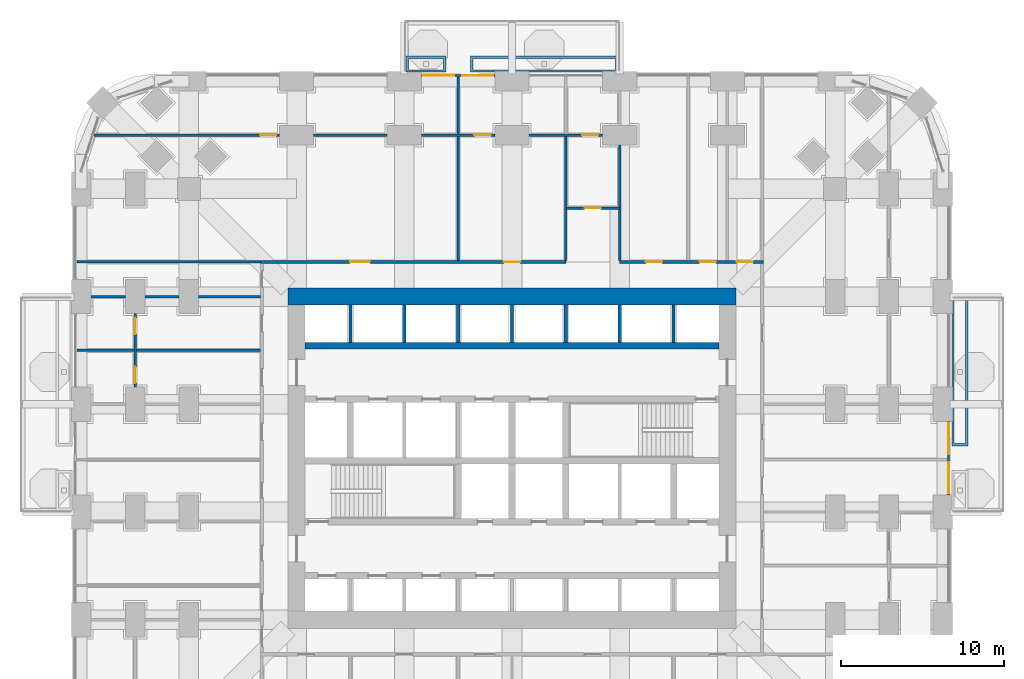
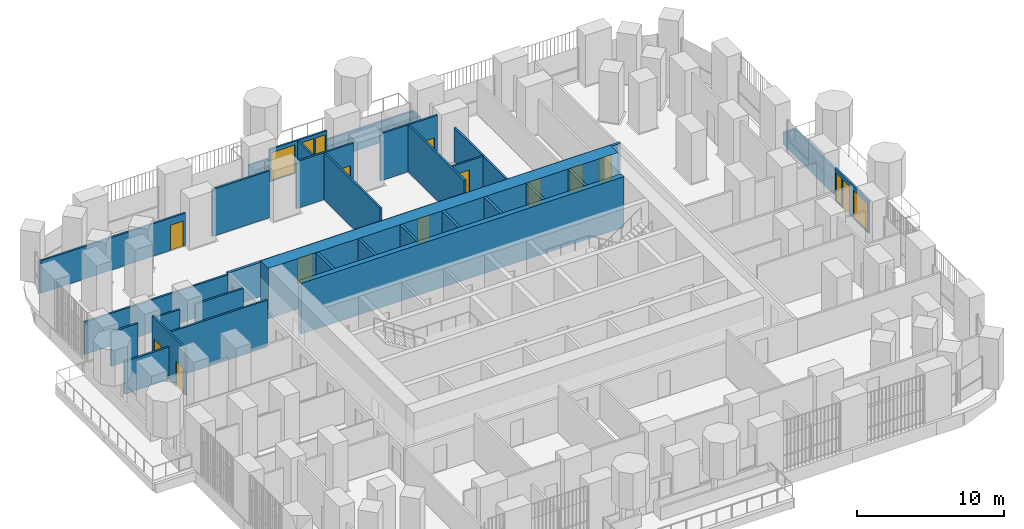
# One storey, part 20 of 26: 32 walls, 13 doors, 4 windows, 17 openings.
"""IFC4 building model written with IfcOpenShell, lengths in metres."""

from ifc_helpers import new_model, si_unit, direction, frame, frame_2d, origin, place, context, subcontext, project, spatial, polyline, rectangle, outline, extrude, material, layer, layer_set, type_object, element, fill, save


model = new_model("IFC4")

# Units and contexts
model_context = context("Model", 3, precision=1e-05, world=origin(), true_north=direction((0.0, 1.0)))
body_context = subcontext(model_context, "Body", "Model", "MODEL_VIEW")
ifc_project = project(units=[si_unit("LENGTHUNIT", "METRE"), si_unit("AREAUNIT", "SQUARE_METRE"), si_unit("VOLUMEUNIT", "CUBIC_METRE"), si_unit("PLANEANGLEUNIT", "RADIAN"), si_unit("MASSUNIT", "GRAM", prefix="KILO")], contexts=[model_context])

# Site, building, storey
site_placement = place(None, origin())
site = spatial("IfcSite", under=ifc_project, at=site_placement, CompositionType="ELEMENT")
building_placement = place(site_placement, origin())
building = spatial("IfcBuilding", under=site, at=building_placement, Name="Cobogo Forest Laboratory Tower", CompositionType="ELEMENT")
storey_placement = place(building_placement, frame((0.0, 0.0, 33.89990234375)))
storey = spatial("IfcBuildingStorey", under=building, at=storey_placement, Name="L07", CompositionType="ELEMENT", Elevation=33.89990234375)

# Walls
ifc_material_1 = material(Name="Concrete HA-50 (C50/60)", Category="concrete")
ifc_layer_1 = layer(ifc_material_1, 0.39990234375)
ifc_layer_set_1 = layer_set([ifc_layer_1], Name="CI400 core inner wall 400")
wall_type_1 = type_object("IfcWallType", Name="CI400 core inner wall 400", PredefinedType="SHEAR", material=ifc_layer_set_1)
wall_1_placement = place(storey_placement, frame((13.72509765625, 30.0, 0.0), z_axis=(0.0, 0.0, 1.0), x_axis=(1.0, 0.0, 0.0)))
element("IfcWall", 1, at=wall_1_placement, inside=storey, type_object=wall_type_1, Name="Core wall CI-30.0 L07", PredefinedType="SHEAR", context=body_context, shape_type="SweptSolid", body=[
    extrude(rectangle(XDim=25.349853515625, YDim=0.39990234375, at=frame_2d((12.6748046875, 0.0))), origin(), (0.0, 0.0, 1.0), 4.2001953125),
])
ifc_layer_2 = layer(ifc_material_1, 1.050048828125)
ifc_layer_set_2 = layer_set([ifc_layer_2], Name="CW1050 core outer wall 1050")
wall_type_2 = type_object("IfcWallType", Name="CW1050 core outer wall 1050", PredefinedType="SHEAR", material=ifc_layer_set_2)
wall_2_placement = place(storey_placement, frame((40.125, 33.0, 0.0), z_axis=(0.0, 0.0, 1.0), x_axis=(-1.0, 0.0, 0.0)))
element("IfcWall", 2, at=wall_2_placement, inside=storey, type_object=wall_type_2, Name="Core wall CO-N L07", PredefinedType="SHEAR", context=body_context, shape_type="SweptSolid", body=[
    extrude(rectangle(XDim=27.449951171875, YDim=1.050048828125, at=frame_2d((13.72509765625, 0.0))), origin(), (0.0, 0.0, 1.0), 4.2001953125),
])

# Wall, openings, door, windows
ifc_material_2 = material(Name="Aluminium framed glazed screen", Category="aluminium")
ifc_layer_3 = layer(ifc_material_2, 0.14990234375)
ifc_layer_set_3 = layer_set([ifc_layer_3], Name="GS1 glazed door screen 150")
wall_type_3 = type_object("IfcWallType", Name="GS1 glazed door screen 150", PredefinedType="SOLIDWALL", material=ifc_layer_set_3)
wall_3_placement = place(storey_placement, frame((53.14990234375, 20.85009765625, 0.0), z_axis=(0.0, 0.0, 1.0), x_axis=(0.0, 1.0, 0.0)))
wall_3 = element("IfcWall", 3, at=wall_3_placement, inside=storey, type_object=wall_type_3, Name="Door screen BAL-E1 L07", PredefinedType="SOLIDWALL", context=body_context, shape_type="SweptSolid", body=[
    extrude(rectangle(XDim=4.5, YDim=0.14990234375, at=frame_2d((2.25, 0.0))), origin(), (0.0, 0.0, 1.0), 2.7001953125),
])
opening_1_placement = place(wall_3_placement, frame((2.5, 0.0, 0.0)))
opening_1 = element("IfcOpeningElement", 4, at=opening_1_placement, cuts=wall_3, Name="Opening L07-D28", PredefinedType="OPENING", context=body_context, shape_type="SweptSolid", body=[
    extrude(rectangle(XDim=1.0, YDim=2.39990234375, at=frame_2d((0.5, 1.199951171875))), frame((0.0, 0.0849609375, 0.0), z_axis=(0.0, -1.0, 0.0), x_axis=(1.0, 0.0, 0.0)), (0.0, 0.0, 1.0), 0.169921875),
])
opening_2_placement = place(wall_3_placement, frame((0.10009765625, 0.0, 0.10009765625)))
opening_2 = element("IfcOpeningElement", 5, at=opening_2_placement, cuts=wall_3, Name="Opening L07-W04", PredefinedType="OPENING", context=body_context, shape_type="SweptSolid", body=[
    extrude(rectangle(XDim=1.89990234375, YDim=2.300048828125, at=frame_2d((0.949951171875, 1.14990234375))), frame((0.0, 0.0849609375, 0.0), z_axis=(0.0, -1.0, 0.0), x_axis=(1.0, 0.0, 0.0)), (0.0, 0.0, 1.0), 0.169921875),
])
opening_3_placement = place(wall_3_placement, frame((3.60009765625, 0.0, 0.10009765625)))
opening_3 = element("IfcOpeningElement", 6, at=opening_3_placement, cuts=wall_3, Name="Opening L07-W06", PredefinedType="OPENING", context=body_context, shape_type="SweptSolid", body=[
    extrude(rectangle(XDim=0.800048828125, YDim=2.300048828125, at=frame_2d((0.39990234375, 1.14990234375))), frame((0.0, 0.0849609375, 0.0), z_axis=(0.0, -1.0, 0.0), x_axis=(1.0, 0.0, 0.0)), (0.0, 0.0, 1.0), 0.169921875),
])
ifc_material_3 = material(Name="Aluminium glazed door", Category="aluminium")
door_type_1 = type_object("IfcDoorType", Name="DB1 balcony door 1000 glazed", OperationType="SINGLE_SWING_LEFT", PredefinedType="DOOR", material=ifc_material_3)
door_1_placement = place(opening_1_placement, origin())
door_1 = element("IfcDoor", 7, at=door_1_placement, inside=storey, type_object=door_type_1, Name="Door L07-BAL-E1", OperationType="SINGLE_SWING_RIGHT", OverallHeight=2.39990234375, OverallWidth=1.0, PredefinedType="DOOR", context=body_context, shape_type="SweptSolid", body=[
    extrude(rectangle(XDim=1.0, YDim=2.39990234375, at=frame_2d((0.5, 1.199951171875))), frame((0.0, 0.02490234375, 0.0), z_axis=(0.0, -1.0, 0.0), x_axis=(1.0, 0.0, 0.0)), (0.0, 0.0, 1.0), 0.050048828125),
])
fill(opening_1, door_1)
ifc_material_4 = material(Name="Aluminium framed glazing", Category="aluminium")
window_type_1 = type_object("IfcWindowType", Name="WG3 fixed glazed light 1900x2300", PartitioningType="SINGLE_PANEL", PredefinedType="WINDOW", material=ifc_material_4)
window_1_placement = place(opening_2_placement, origin())
window_1 = element("IfcWindow", 8, at=window_1_placement, inside=storey, type_object=window_type_1, Name="Window L07-BAL-E1-1", OverallHeight=2.300048828125, OverallWidth=1.89990234375, PartitioningType="SINGLE_PANEL", PredefinedType="WINDOW", context=body_context, shape_type="SweptSolid", body=[
    extrude(rectangle(XDim=1.89990234375, YDim=2.300048828125, at=frame_2d((0.949951171875, 1.14990234375))), frame((0.0, 0.030029296875, 0.0), z_axis=(0.0, -1.0, 0.0), x_axis=(1.0, 0.0, 0.0)), (0.0, 0.0, 1.0), 0.06005859375),
])
fill(opening_2, window_1)
window_type_2 = type_object("IfcWindowType", Name="WG4 fixed glazed light 800x2300", PartitioningType="SINGLE_PANEL", PredefinedType="WINDOW", material=ifc_material_4)
window_2_placement = place(opening_3_placement, origin())
window_2 = element("IfcWindow", 9, at=window_2_placement, inside=storey, type_object=window_type_2, Name="Window L07-BAL-E1-2", OverallHeight=2.300048828125, OverallWidth=0.800048828125, PartitioningType="SINGLE_PANEL", PredefinedType="WINDOW", context=body_context, shape_type="SweptSolid", body=[
    extrude(rectangle(XDim=0.800048828125, YDim=2.300048828125, at=frame_2d((0.39990234375, 1.14990234375))), frame((0.0, 0.030029296875, 0.0), z_axis=(0.0, -1.0, 0.0), x_axis=(1.0, 0.0, 0.0)), (0.0, 0.0, 1.0), 0.06005859375),
])
fill(opening_3, window_2)

wall_4_placement = place(storey_placement, frame((25.35009765625, 46.550048828125, 0.0), z_axis=(0.0, 0.0, 1.0), x_axis=(-1.0, 0.0, 0.0)))
wall_4 = element("IfcWall", 10, at=wall_4_placement, inside=storey, type_object=wall_type_3, Name="Door screen BAL-N1 L07", PredefinedType="SOLIDWALL", context=body_context, shape_type="SweptSolid", body=[
    extrude(rectangle(XDim=4.5, YDim=0.14990234375, at=frame_2d((2.25, 0.0))), origin(), (0.0, 0.0, 1.0), 2.7001953125),
])
opening_4_placement = place(wall_4_placement, frame((1.0, 0.0, 0.0)))
opening_4 = element("IfcOpeningElement", 11, at=opening_4_placement, cuts=wall_4, Name="Opening L07-D50", PredefinedType="OPENING", context=body_context, shape_type="SweptSolid", body=[
    extrude(rectangle(XDim=1.0, YDim=2.39990234375, at=frame_2d((0.5, 1.199951171875))), frame((0.0, 0.0849609375, 0.0), z_axis=(0.0, -1.0, 0.0), x_axis=(1.0, 0.0, 0.0)), (0.0, 0.0, 1.0), 0.169921875),
])
opening_5_placement = place(wall_4_placement, frame((0.10009765625, 0.0, 0.10009765625)))
opening_5 = element("IfcOpeningElement", 12, at=opening_5_placement, cuts=wall_4, Name="Opening L07-W08", PredefinedType="OPENING", context=body_context, shape_type="SweptSolid", body=[
    extrude(rectangle(XDim=0.800048828125, YDim=2.300048828125, at=frame_2d((0.39990234375, 1.14990234375))), frame((0.0, 0.0849609375, 0.0), z_axis=(0.0, -1.0, 0.0), x_axis=(1.0, 0.0, 0.0)), (0.0, 0.0, 1.0), 0.169921875),
])
opening_6_placement = place(wall_4_placement, frame((2.5, 0.0, 0.10009765625)))
opening_6 = element("IfcOpeningElement", 13, at=opening_6_placement, cuts=wall_4, Name="Opening L07-W07", PredefinedType="OPENING", context=body_context, shape_type="SweptSolid", body=[
    extrude(rectangle(XDim=1.89990234375, YDim=2.300048828125, at=frame_2d((0.949951171875, 1.14990234375))), frame((0.0, 0.0849609375, 0.0), z_axis=(0.0, -1.0, 0.0), x_axis=(1.0, 0.0, 0.0)), (0.0, 0.0, 1.0), 0.169921875),
])
door_2_placement = place(opening_4_placement, origin())
door_2 = element("IfcDoor", 14, at=door_2_placement, inside=storey, type_object=door_type_1, Name="Door L07-BAL-N1", OperationType="SINGLE_SWING_LEFT", OverallHeight=2.39990234375, OverallWidth=1.0, PredefinedType="DOOR", context=body_context, shape_type="SweptSolid", body=[
    extrude(rectangle(XDim=1.0, YDim=2.39990234375, at=frame_2d((0.5, 1.199951171875))), frame((0.0, 0.02490234375, 0.0), z_axis=(0.0, -1.0, 0.0), x_axis=(1.0, 0.0, 0.0)), (0.0, 0.0, 1.0), 0.050048828125),
])
fill(opening_4, door_2)
window_3_placement = place(opening_6_placement, origin())
window_3 = element("IfcWindow", 15, at=window_3_placement, inside=storey, type_object=window_type_1, Name="Window L07-BAL-N1-2", OverallHeight=2.300048828125, OverallWidth=1.89990234375, PartitioningType="SINGLE_PANEL", PredefinedType="WINDOW", context=body_context, shape_type="SweptSolid", body=[
    extrude(rectangle(XDim=1.89990234375, YDim=2.300048828125, at=frame_2d((0.949951171875, 1.14990234375))), frame((0.0, 0.030029296875, 0.0), z_axis=(0.0, -1.0, 0.0), x_axis=(1.0, 0.0, 0.0)), (0.0, 0.0, 1.0), 0.06005859375),
])
fill(opening_6, window_3)
window_4_placement = place(opening_5_placement, origin())
window_4 = element("IfcWindow", 16, at=window_4_placement, inside=storey, type_object=window_type_2, Name="Window L07-BAL-N1-1", OverallHeight=2.300048828125, OverallWidth=0.800048828125, PartitioningType="SINGLE_PANEL", PredefinedType="WINDOW", context=body_context, shape_type="SweptSolid", body=[
    extrude(rectangle(XDim=0.800048828125, YDim=2.300048828125, at=frame_2d((0.39990234375, 1.14990234375))), frame((0.0, 0.030029296875, 0.0), z_axis=(0.0, -1.0, 0.0), x_axis=(1.0, 0.0, 0.0)), (0.0, 0.0, 1.0), 0.06005859375),
])
fill(opening_5, window_4)

# Wall
ifc_material_5 = material(Name="Gypsum board on steel studs", Category="steel")
ifc_layer_4 = layer(ifc_material_5, 0.14990234375)
ifc_layer_set_4 = layer_set([ifc_layer_4], Name="PT1 laboratory partition 150")
wall_type_4 = type_object("IfcWallType", Name="PT1 laboratory partition 150", PredefinedType="PARTITIONING", material=ifc_layer_set_4)
wall_5_placement = place(storey_placement, frame((-0.27001953125, 35.125, 0.0), z_axis=(0.0, 0.0, 1.0), x_axis=(1.0, 0.0, 0.0)))
element("IfcWall", 17, at=wall_5_placement, inside=storey, type_object=wall_type_4, Name="Partition PW-NW L07", PredefinedType="PARTITIONING", context=body_context, shape_type="SweptSolid", body=[
    extrude(rectangle(XDim=11.2451171875, YDim=0.14990234375, at=frame_2d((5.62255859375, 0.0))), origin(), (0.0, 0.0, 1.0), 2.7001953125),
])

# Wall, opening, door
wall_6_placement = place(storey_placement, frame((31.949951171875, 42.89990234375, 0.0), z_axis=(0.0, 0.0, 1.0), x_axis=(-1.0, 0.0, 0.0)))
wall_6 = element("IfcWall", 18, at=wall_6_placement, inside=storey, type_object=wall_type_4, Name="Partition STRIP-N-1 L07", PredefinedType="PARTITIONING", context=body_context, shape_type="SweptSolid", body=[
    extrude(rectangle(XDim=4.5, YDim=0.14990234375, at=frame_2d((2.25, 0.0))), origin(), (0.0, 0.0, 1.0), 3.900146484375),
])
opening_7_placement = place(wall_6_placement, frame((0.25, 0.0, 0.0)))
opening_7 = element("IfcOpeningElement", 19, at=opening_7_placement, cuts=wall_6, Name="Opening L07-D49", PredefinedType="OPENING", context=body_context, shape_type="SweptSolid", body=[
    extrude(rectangle(XDim=1.0, YDim=2.10009765625, at=frame_2d((0.5, 1.050048828125))), frame((0.0, 0.0849609375, 0.0), z_axis=(0.0, -1.0, 0.0), x_axis=(1.0, 0.0, 0.0)), (0.0, 0.0, 1.0), 0.169921875),
])
ifc_material_6 = material(Name="Timber fire door", Category="wood")
door_type_2 = type_object("IfcDoorType", Name="FD2 fire door 1000 EI2 30", OperationType="SINGLE_SWING_LEFT", PredefinedType="DOOR", material=ifc_material_6)
door_3_placement = place(opening_7_placement, origin())
door_3 = element("IfcDoor", 20, at=door_3_placement, inside=storey, type_object=door_type_2, Name="Door L07-N3W", OperationType="SINGLE_SWING_LEFT", OverallHeight=2.10009765625, OverallWidth=1.0, PredefinedType="DOOR", context=body_context, shape_type="SweptSolid", body=[
    extrude(rectangle(XDim=1.0, YDim=2.10009765625, at=frame_2d((0.5, 1.050048828125))), frame((0.0, 0.02490234375, 0.0), z_axis=(0.0, -1.0, 0.0), x_axis=(1.0, 0.0, 0.0)), (0.0, 0.0, 1.0), 0.050048828125),
])
fill(opening_7, door_3)

wall_7_placement = place(storey_placement, frame((25.35009765625, 42.89990234375, 0.0), z_axis=(0.0, 0.0, 1.0), x_axis=(-1.0, 0.0, 0.0)))
wall_7 = element("IfcWall", 21, at=wall_7_placement, inside=storey, type_object=wall_type_4, Name="Partition STRIP-N-2 L07", PredefinedType="PARTITIONING", context=body_context, shape_type="SweptSolid", body=[
    extrude(rectangle(XDim=4.5, YDim=0.14990234375, at=frame_2d((2.25, 0.0))), origin(), (0.0, 0.0, 1.0), 3.900146484375),
])
opening_8_placement = place(wall_7_placement, frame((0.25, 0.0, 0.0)))
opening_8 = element("IfcOpeningElement", 22, at=opening_8_placement, cuts=wall_7, Name="Opening L07-D48", PredefinedType="OPENING", context=body_context, shape_type="SweptSolid", body=[
    extrude(rectangle(XDim=1.0, YDim=2.10009765625, at=frame_2d((0.5, 1.050048828125))), frame((0.0, 0.0849609375, 0.0), z_axis=(0.0, -1.0, 0.0), x_axis=(1.0, 0.0, 0.0)), (0.0, 0.0, 1.0), 0.169921875),
])
door_4_placement = place(opening_8_placement, origin())
door_4 = element("IfcDoor", 23, at=door_4_placement, inside=storey, type_object=door_type_2, Name="Door L07-N2W", OperationType="SINGLE_SWING_LEFT", OverallHeight=2.10009765625, OverallWidth=1.0, PredefinedType="DOOR", context=body_context, shape_type="SweptSolid", body=[
    extrude(rectangle(XDim=1.0, YDim=2.10009765625, at=frame_2d((0.5, 1.050048828125))), frame((0.0, 0.02490234375, 0.0), z_axis=(0.0, -1.0, 0.0), x_axis=(1.0, 0.0, 0.0)), (0.0, 0.0, 1.0), 0.050048828125),
])
fill(opening_8, door_4)

# Wall
wall_8_placement = place(storey_placement, frame((18.75, 42.89990234375, 0.0), z_axis=(0.0, 0.0, 1.0), x_axis=(-1.0, 0.0, 0.0)))
element("IfcWall", 24, at=wall_8_placement, inside=storey, type_object=wall_type_4, Name="Partition STRIP-N-3 L07", PredefinedType="PARTITIONING", context=body_context, shape_type="SweptSolid", body=[
    extrude(rectangle(XDim=4.5, YDim=0.14990234375, at=frame_2d((2.25, 0.0))), origin(), (0.0, 0.0, 1.0), 3.900146484375),
])

# Wall, opening, door
wall_9_placement = place(storey_placement, frame((12.14990234375, 42.89990234375, 0.0), z_axis=(0.0, 0.0, 1.0), x_axis=(-1.0, 0.0, 0.0)))
wall_9 = element("IfcWall", 25, at=wall_9_placement, inside=storey, type_object=wall_type_4, Name="Partition STRIP-N-4 L07", PredefinedType="PARTITIONING", context=body_context, shape_type="SweptSolid", body=[
    extrude(rectangle(XDim=11.373779296875, YDim=0.14990234375, at=frame_2d((5.68701171875, 0.0))), origin(), (0.0, 0.0, 1.0), 2.7001953125),
])
opening_9_placement = place(wall_9_placement, frame((0.192138671875, 0.0, 0.0)))
opening_9 = element("IfcOpeningElement", 26, at=opening_9_placement, cuts=wall_9, Name="Opening L07-D47", PredefinedType="OPENING", context=body_context, shape_type="SweptSolid", body=[
    extrude(rectangle(XDim=1.0, YDim=2.10009765625, at=frame_2d((0.5, 1.050048828125))), frame((0.0, 0.0849609375, 0.0), z_axis=(0.0, -1.0, 0.0), x_axis=(1.0, 0.0, 0.0)), (0.0, 0.0, 1.0), 0.169921875),
])
door_5_placement = place(opening_9_placement, origin())
door_5 = element("IfcDoor", 27, at=door_5_placement, inside=storey, type_object=door_type_2, Name="Door L07-N1W", OperationType="SINGLE_SWING_LEFT", OverallHeight=2.10009765625, OverallWidth=1.0, PredefinedType="DOOR", context=body_context, shape_type="SweptSolid", body=[
    extrude(rectangle(XDim=1.0, YDim=2.10009765625, at=frame_2d((0.5, 1.050048828125))), frame((0.0, 0.02490234375, 0.0), z_axis=(0.0, -1.0, 0.0), x_axis=(1.0, 0.0, 0.0)), (0.0, 0.0, 1.0), 0.050048828125),
])
fill(opening_9, door_5)

wall_10_placement = place(storey_placement, frame((29.699951171875, 38.425048828125, 0.0), z_axis=(0.0, 0.0, 1.0), x_axis=(1.0, 0.0, 0.0)))
wall_10 = element("IfcWall", 28, at=wall_10_placement, inside=storey, type_object=wall_type_4, Name="Partition NODE-N-1 L07", PredefinedType="PARTITIONING", context=body_context, shape_type="SweptSolid", body=[
    extrude(rectangle(XDim=3.300048828125, YDim=0.14990234375, at=frame_2d((1.64990234375, 0.0))), origin(), (0.0, 0.0, 1.0), 2.85009765625),
])
opening_10_placement = place(wall_10_placement, frame((1.14990234375, 0.0, 0.0)))
opening_10 = element("IfcOpeningElement", 29, at=opening_10_placement, cuts=wall_10, Name="Opening L07-D46", PredefinedType="OPENING", context=body_context, shape_type="SweptSolid", body=[
    extrude(rectangle(XDim=1.0, YDim=2.10009765625, at=frame_2d((0.5, 1.050048828125))), frame((0.0, 0.0849609375, 0.0), z_axis=(0.0, -1.0, 0.0), x_axis=(1.0, 0.0, 0.0)), (0.0, 0.0, 1.0), 0.169921875),
])
door_6_placement = place(opening_10_placement, origin())
door_6 = element("IfcDoor", 30, at=door_6_placement, inside=storey, type_object=door_type_2, Name="Door L07-N3", OperationType="SINGLE_SWING_RIGHT", OverallHeight=2.10009765625, OverallWidth=1.0, PredefinedType="DOOR", context=body_context, shape_type="SweptSolid", body=[
    extrude(rectangle(XDim=1.0, YDim=2.10009765625, at=frame_2d((0.5, 1.050048828125))), frame((0.0, 0.02490234375, 0.0), z_axis=(0.0, -1.0, 0.0), x_axis=(1.0, 0.0, 0.0)), (0.0, 0.0, 1.0), 0.050048828125),
])
fill(opening_10, door_6)

# Walls
wall_11_placement = place(storey_placement, frame((23.10009765625, 46.469970703125, 0.0), z_axis=(0.0, 0.0, 1.0), x_axis=(0.0, -1.0, 0.0)))
element("IfcWall", 31, at=wall_11_placement, inside=storey, type_object=wall_type_4, Name="Partition CUT-N23.1a-1 L07", PredefinedType="PARTITIONING", context=body_context, shape_type="SweptSolid", body=[
    extrude(rectangle(XDim=3.494873046875, YDim=0.14990234375, at=frame_2d((1.74755859375, 0.0))), origin(), (0.0, 0.0, 1.0), 2.7001953125),
])
for number, where, z_axis, x_axis, name in (
    (32, (23.10009765625, 42.824951171875, 0.0), (0.0, 0.0, 1.0), (0.0, -1.0, 0.0), "Partition CUT-N23.1b-1 L07"),
    (33, (29.699951171875, 42.824951171875, 0.0), (0.0, 0.0, 1.0), (0.0, -1.0, 0.0), "Partition CUT-N29.7b-1 L07"),
):
    element("IfcWall", number, at=place(storey_placement, frame(where, z_axis=z_axis, x_axis=x_axis)), inside=storey, type_object=wall_type_4, Name=name, PredefinedType="PARTITIONING", context=body_context, shape_type="SweptSolid", body=[
        extrude(rectangle(XDim=7.599853515625, YDim=0.14990234375, at=frame_2d((3.7998046875, 0.0))), origin(), (0.0, 0.0, 1.0), 3.900146484375),
    ])
wall_12_placement = place(storey_placement, frame((33.0, 42.300048828125, 0.0), z_axis=(0.0, 0.0, 1.0), x_axis=(0.0, -1.0, 0.0)))
element("IfcWall", 34, at=wall_12_placement, inside=storey, type_object=wall_type_4, Name="Partition CUT-N33-2 L07", PredefinedType="PARTITIONING", context=body_context, shape_type="SweptSolid", body=[
    extrude(rectangle(XDim=7.074951171875, YDim=0.14990234375, at=frame_2d((3.53759765625, 0.0))), origin(), (0.0, 0.0, 1.0), 2.85009765625),
])

# Wall, openings, doors
wall_13_placement = place(storey_placement, frame((3.300048828125, 31.949951171875, 0.0), z_axis=(0.0, 0.0, 1.0), x_axis=(0.0, -1.0, 0.0)))
wall_13 = element("IfcWall", 35, at=wall_13_placement, inside=storey, type_object=wall_type_4, Name="Partition STRIP-W-1 L07", PredefinedType="PARTITIONING", context=body_context, shape_type="SweptSolid", body=[
    extrude(rectangle(XDim=4.5, YDim=0.14990234375, at=frame_2d((2.25, 0.0))), origin(), (0.0, 0.0, 1.0), 3.900146484375),
])
opening_11_placement = place(wall_13_placement, frame((3.25, 0.0, 0.0)))
opening_11 = element("IfcOpeningElement", 36, at=opening_11_placement, cuts=wall_13, Name="Opening L07-D33", PredefinedType="OPENING", context=body_context, shape_type="SweptSolid", body=[
    extrude(rectangle(XDim=1.0, YDim=2.10009765625, at=frame_2d((0.5, 1.050048828125))), frame((0.0, 0.0849609375, 0.0), z_axis=(0.0, -1.0, 0.0), x_axis=(1.0, 0.0, 0.0)), (0.0, 0.0, 1.0), 0.169921875),
])
opening_12_placement = place(wall_13_placement, frame((0.25, 0.0, 0.0)))
opening_12 = element("IfcOpeningElement", 37, at=opening_12_placement, cuts=wall_13, Name="Opening L07-D37", PredefinedType="OPENING", context=body_context, shape_type="SweptSolid", body=[
    extrude(rectangle(XDim=1.0, YDim=2.10009765625, at=frame_2d((0.5, 1.050048828125))), frame((0.0, 0.0849609375, 0.0), z_axis=(0.0, -1.0, 0.0), x_axis=(1.0, 0.0, 0.0)), (0.0, 0.0, 1.0), 0.169921875),
])
door_7_placement = place(opening_11_placement, origin())
door_7 = element("IfcDoor", 38, at=door_7_placement, inside=storey, type_object=door_type_2, Name="Door L07-W3W", OperationType="SINGLE_SWING_RIGHT", OverallHeight=2.10009765625, OverallWidth=1.0, PredefinedType="DOOR", context=body_context, shape_type="SweptSolid", body=[
    extrude(rectangle(XDim=1.0, YDim=2.10009765625, at=frame_2d((0.5, 1.050048828125))), frame((0.0, 0.02490234375, 0.0), z_axis=(0.0, -1.0, 0.0), x_axis=(1.0, 0.0, 0.0)), (0.0, 0.0, 1.0), 0.050048828125),
])
fill(opening_11, door_7)
door_8_placement = place(opening_12_placement, origin())
door_8 = element("IfcDoor", 39, at=door_8_placement, inside=storey, type_object=door_type_2, Name="Door L07-W4W", OperationType="SINGLE_SWING_LEFT", OverallHeight=2.10009765625, OverallWidth=1.0, PredefinedType="DOOR", context=body_context, shape_type="SweptSolid", body=[
    extrude(rectangle(XDim=1.0, YDim=2.10009765625, at=frame_2d((0.5, 1.050048828125))), frame((0.0, 0.02490234375, 0.0), z_axis=(0.0, -1.0, 0.0), x_axis=(1.0, 0.0, 0.0)), (0.0, 0.0, 1.0), 0.050048828125),
])
fill(opening_12, door_8)

# Walls
wall_14_placement = place(storey_placement, frame((-0.27001953125, 29.699951171875, 0.0), z_axis=(0.0, 0.0, 1.0), x_axis=(1.0, 0.0, 0.0)))
element("IfcWall", 40, at=wall_14_placement, inside=storey, type_object=wall_type_4, Name="Partition CUT-W29.7a-1 L07", PredefinedType="PARTITIONING", context=body_context, shape_type="SweptSolid", body=[
    extrude(rectangle(XDim=3.4951171875, YDim=0.14990234375, at=frame_2d((1.74755859375, 0.0))), origin(), (0.0, 0.0, 1.0), 2.7001953125),
])
wall_15_placement = place(storey_placement, frame((3.375, 29.699951171875, 0.0), z_axis=(0.0, 0.0, 1.0), x_axis=(1.0, 0.0, 0.0)))
element("IfcWall", 41, at=wall_15_placement, inside=storey, type_object=wall_type_4, Name="Partition CUT-W29.7b-1 L07", PredefinedType="PARTITIONING", context=body_context, shape_type="SweptSolid", body=[
    extrude(rectangle(XDim=7.60009765625, YDim=0.14990234375, at=frame_2d((3.800048828125, 0.0))), origin(), (0.0, 0.0, 1.0), 3.900146484375),
])
wall_16_placement = place(storey_placement, frame((0.60009765625, 33.0, 0.0), z_axis=(0.0, 0.0, 1.0), x_axis=(1.0, 0.0, 0.0)))
element("IfcWall", 42, at=wall_16_placement, inside=storey, type_object=wall_type_4, Name="Partition CUT-W33-1 L07", PredefinedType="PARTITIONING", context=body_context, shape_type="SweptSolid", body=[
    extrude(rectangle(XDim=2.099853515625, YDim=0.14990234375, at=frame_2d((1.0498046875, 0.0))), origin(), (0.0, 0.0, 1.0), 2.85009765625),
])
wall_17_placement = place(storey_placement, frame((3.89990234375, 33.0, 0.0), z_axis=(0.0, 0.0, 1.0), x_axis=(1.0, 0.0, 0.0)))
element("IfcWall", 43, at=wall_17_placement, inside=storey, type_object=wall_type_4, Name="Partition CUT-W33-2 L07", PredefinedType="PARTITIONING", context=body_context, shape_type="SweptSolid", body=[
    extrude(rectangle(XDim=2.10009765625, YDim=0.14990234375, at=frame_2d((1.050048828125, 0.0))), origin(), (0.0, 0.0, 1.0), 2.85009765625),
])
wall_18_placement = place(storey_placement, frame((7.199951171875, 33.0, 0.0), z_axis=(0.0, 0.0, 1.0), x_axis=(1.0, 0.0, 0.0)))
element("IfcWall", 44, at=wall_18_placement, inside=storey, type_object=wall_type_4, Name="Partition CUT-W33-3 L07", PredefinedType="PARTITIONING", context=body_context, shape_type="SweptSolid", body=[
    extrude(rectangle(XDim=3.775146484375, YDim=0.14990234375, at=frame_2d((1.8876953125, 0.0))), origin(), (0.0, 0.0, 1.0), 2.85009765625),
])

# Wall, openings, doors
ifc_layer_5 = layer(ifc_material_5, 0.199951171875)
ifc_layer_set_5 = layer_set([ifc_layer_5], Name="PT2 fire-rated corridor partition 200")
wall_type_5 = type_object("IfcWallType", Name="PT2 fire-rated corridor partition 200", PredefinedType="PARTITIONING", material=ifc_layer_set_5)
wall_19_placement = place(storey_placement, frame((10.97509765625, 35.125, 0.0), z_axis=(0.0, 0.0, 1.0), x_axis=(1.0, 0.0, 0.0)))
wall_19 = element("IfcWall", 45, at=wall_19_placement, inside=storey, type_object=wall_type_5, Name="Partition CORR-N-1 L07", PredefinedType="PARTITIONING", context=body_context, shape_type="SweptSolid", body=[
    extrude(rectangle(XDim=18.724853515625, YDim=0.199951171875, at=frame_2d((9.3623046875, 0.0))), origin(), (0.0, 0.0, 1.0), 2.85009765625),
])
opening_13_placement = place(wall_19_placement, frame((5.512451171875, 0.0, 0.0)))
opening_13 = element("IfcOpeningElement", 46, at=opening_13_placement, cuts=wall_19, Name="Opening L07-D40", PredefinedType="OPENING", context=body_context, shape_type="SweptSolid", body=[
    extrude(rectangle(XDim=1.199951171875, YDim=2.10009765625, at=frame_2d((0.60009765625, 1.050048828125))), frame((0.0, 0.10986328125, 0.0), z_axis=(0.0, -1.0, 0.0), x_axis=(1.0, 0.0, 0.0)), (0.0, 0.0, 1.0), 0.219970703125),
])
opening_14_placement = place(wall_19_placement, frame((14.925048828125, 0.0, 0.0)))
opening_14 = element("IfcOpeningElement", 47, at=opening_14_placement, cuts=wall_19, Name="Opening L07-D41", PredefinedType="OPENING", context=body_context, shape_type="SweptSolid", body=[
    extrude(rectangle(XDim=1.0, YDim=2.10009765625, at=frame_2d((0.5, 1.050048828125))), frame((0.0, 0.10986328125, 0.0), z_axis=(0.0, -1.0, 0.0), x_axis=(1.0, 0.0, 0.0)), (0.0, 0.0, 1.0), 0.219970703125),
])
ifc_material_7 = material(Name="Timber door", Category="wood")
door_type_3 = type_object("IfcDoorType", Name="D2 laboratory door 1200 unequal pair", OperationType="DOUBLE_DOOR_SINGLE_SWING", PredefinedType="DOOR", material=ifc_material_7)
door_9_placement = place(opening_13_placement, origin())
door_9 = element("IfcDoor", 48, at=door_9_placement, inside=storey, type_object=door_type_3, Name="Door L07-N1", OperationType="DOUBLE_DOOR_SINGLE_SWING", OverallHeight=2.10009765625, OverallWidth=1.199951171875, PredefinedType="DOOR", context=body_context, shape_type="SweptSolid", body=[
    extrude(rectangle(XDim=1.199951171875, YDim=2.10009765625, at=frame_2d((0.60009765625, 1.050048828125))), frame((0.0, 0.02490234375, 0.0), z_axis=(0.0, -1.0, 0.0), x_axis=(1.0, 0.0, 0.0)), (0.0, 0.0, 1.0), 0.050048828125),
])
fill(opening_13, door_9)
door_10_placement = place(opening_14_placement, origin())
door_10 = element("IfcDoor", 49, at=door_10_placement, inside=storey, type_object=door_type_2, Name="Door L07-N2", OperationType="SINGLE_SWING_RIGHT", OverallHeight=2.10009765625, OverallWidth=1.0, PredefinedType="DOOR", context=body_context, shape_type="SweptSolid", body=[
    extrude(rectangle(XDim=1.0, YDim=2.10009765625, at=frame_2d((0.5, 1.050048828125))), frame((0.0, 0.02490234375, 0.0), z_axis=(0.0, -1.0, 0.0), x_axis=(1.0, 0.0, 0.0)), (0.0, 0.0, 1.0), 0.050048828125),
])
fill(opening_14, door_10)

wall_20_placement = place(storey_placement, frame((33.0, 35.125, 0.0), z_axis=(0.0, 0.0, 1.0), x_axis=(1.0, 0.0, 0.0)))
wall_20 = element("IfcWall", 50, at=wall_20_placement, inside=storey, type_object=wall_type_5, Name="Partition CORR-N-2 L07", PredefinedType="PARTITIONING", context=body_context, shape_type="SweptSolid", body=[
    extrude(rectangle(XDim=8.824951171875, YDim=0.199951171875, at=frame_2d((4.41259765625, 0.0))), origin(), (0.0, 0.0, 1.0), 2.85009765625),
])
opening_15_placement = place(wall_20_placement, frame((1.60009765625, 0.0, 0.0)))
opening_15 = element("IfcOpeningElement", 51, at=opening_15_placement, cuts=wall_20, Name="Opening L07-D42", PredefinedType="OPENING", context=body_context, shape_type="SweptSolid", body=[
    extrude(rectangle(XDim=1.0, YDim=2.10009765625, at=frame_2d((0.5, 1.050048828125))), frame((0.0, 0.10986328125, 0.0), z_axis=(0.0, -1.0, 0.0), x_axis=(1.0, 0.0, 0.0)), (0.0, 0.0, 1.0), 0.219970703125),
])
opening_16_placement = place(wall_20_placement, frame((4.89990234375, 0.0, 0.0)))
opening_16 = element("IfcOpeningElement", 52, at=opening_16_placement, cuts=wall_20, Name="Opening L07-D43", PredefinedType="OPENING", context=body_context, shape_type="SweptSolid", body=[
    extrude(rectangle(XDim=1.0, YDim=2.10009765625, at=frame_2d((0.5, 1.050048828125))), frame((0.0, 0.10986328125, 0.0), z_axis=(0.0, -1.0, 0.0), x_axis=(1.0, 0.0, 0.0)), (0.0, 0.0, 1.0), 0.219970703125),
])
opening_17_placement = place(wall_20_placement, frame((7.16259765625, 0.0, 0.0)))
opening_17 = element("IfcOpeningElement", 53, at=opening_17_placement, cuts=wall_20, Name="Opening L07-D44", PredefinedType="OPENING", context=body_context, shape_type="SweptSolid", body=[
    extrude(rectangle(XDim=1.0, YDim=2.10009765625, at=frame_2d((0.5, 1.050048828125))), frame((0.0, 0.10986328125, 0.0), z_axis=(0.0, -1.0, 0.0), x_axis=(1.0, 0.0, 0.0)), (0.0, 0.0, 1.0), 0.219970703125),
])
door_11_placement = place(opening_15_placement, origin())
door_11 = element("IfcDoor", 54, at=door_11_placement, inside=storey, type_object=door_type_2, Name="Door L07-MTG", OperationType="SINGLE_SWING_LEFT", OverallHeight=2.10009765625, OverallWidth=1.0, PredefinedType="DOOR", context=body_context, shape_type="SweptSolid", body=[
    extrude(rectangle(XDim=1.0, YDim=2.10009765625, at=frame_2d((0.5, 1.050048828125))), frame((0.0, 0.02490234375, 0.0), z_axis=(0.0, -1.0, 0.0), x_axis=(1.0, 0.0, 0.0)), (0.0, 0.0, 1.0), 0.050048828125),
])
fill(opening_15, door_11)
door_12_placement = place(opening_16_placement, origin())
door_12 = element("IfcDoor", 55, at=door_12_placement, inside=storey, type_object=door_type_2, Name="Door L07-PAN", OperationType="SINGLE_SWING_RIGHT", OverallHeight=2.10009765625, OverallWidth=1.0, PredefinedType="DOOR", context=body_context, shape_type="SweptSolid", body=[
    extrude(rectangle(XDim=1.0, YDim=2.10009765625, at=frame_2d((0.5, 1.050048828125))), frame((0.0, 0.02490234375, 0.0), z_axis=(0.0, -1.0, 0.0), x_axis=(1.0, 0.0, 0.0)), (0.0, 0.0, 1.0), 0.050048828125),
])
fill(opening_16, door_12)
door_13_placement = place(opening_17_placement, origin())
door_13 = element("IfcDoor", 56, at=door_13_placement, inside=storey, type_object=door_type_2, Name="Door L07-N4", OperationType="SINGLE_SWING_RIGHT", OverallHeight=2.10009765625, OverallWidth=1.0, PredefinedType="DOOR", context=body_context, shape_type="SweptSolid", body=[
    extrude(rectangle(XDim=1.0, YDim=2.10009765625, at=frame_2d((0.5, 1.050048828125))), frame((0.0, 0.02490234375, 0.0), z_axis=(0.0, -1.0, 0.0), x_axis=(1.0, 0.0, 0.0)), (0.0, 0.0, 1.0), 0.050048828125),
])
fill(opening_17, door_13)

# Walls
ifc_material_8 = material(Name="Concrete HA-40 (C40/50)", Category="concrete")
ifc_layer_6 = layer(ifc_material_8, 0.14990234375)
ifc_layer_set_6 = layer_set([ifc_layer_6], Name="Planter box 1000x1050")
wall_type_6 = type_object("IfcWallType", Name="Planter box 1000x1050", PredefinedType="USERDEFINED", material=ifc_layer_set_6)
wall_21_placement = place(storey_placement, origin())
element("IfcWall", 57, at=wall_21_placement, inside=storey, type_object=wall_type_6, Name="Planter BAL-E1-2 L07", ObjectType="PLANTER", PredefinedType="USERDEFINED", context=body_context, shape_type="SweptSolid", body=[
    extrude(outline(polyline([(53.35009765625, 23.85009765625), (54.35009765625, 23.85009765625), (54.35009765625, 32.89990234375), (53.35009765625, 32.89990234375), (53.35009765625, 23.85009765625)]), holes=[polyline([(53.5, 24.0), (54.199951171875, 24.0), (54.199951171875, 32.75), (53.5, 32.75), (53.5, 24.0)])]), origin(), (0.0, 0.0, 1.0), 1.050048828125),
])
wall_22_placement = place(storey_placement, origin())
element("IfcWall", 58, at=wall_22_placement, inside=storey, type_object=wall_type_6, Name="Planter BAL-N1-1 L07", ObjectType="PLANTER", PredefinedType="USERDEFINED", context=body_context, shape_type="SweptSolid", body=[
    extrude(outline(polyline([(19.89990234375, 46.75), (22.35009765625, 46.75), (22.35009765625, 47.75), (19.89990234375, 47.75), (19.89990234375, 46.75)]), holes=[polyline([(20.050048828125, 46.89990234375), (22.199951171875, 46.89990234375), (22.199951171875, 47.60009765625), (20.050048828125, 47.60009765625), (20.050048828125, 46.89990234375)])]), origin(), (0.0, 0.0, 1.0), 1.050048828125),
])
wall_23_placement = place(storey_placement, origin())
element("IfcWall", 59, at=wall_23_placement, inside=storey, type_object=wall_type_6, Name="Planter BAL-N1-2 L07", ObjectType="PLANTER", PredefinedType="USERDEFINED", context=body_context, shape_type="SweptSolid", body=[
    extrude(outline(polyline([(23.85009765625, 46.75), (32.89990234375, 46.75), (32.89990234375, 47.75), (23.85009765625, 47.75), (23.85009765625, 46.75)]), holes=[polyline([(24.0, 46.89990234375), (32.75, 46.89990234375), (32.75, 47.60009765625), (24.0, 47.60009765625), (24.0, 46.89990234375)])]), origin(), (0.0, 0.0, 1.0), 1.050048828125),
])
ifc_material_9 = material(Name="Concrete block", Category="concrete")
ifc_layer_7 = layer(ifc_material_9, 0.199951171875)
ifc_layer_set_7 = layer_set([ifc_layer_7], Name="SW200 lift shaft separator 200")
wall_type_7 = type_object("IfcWallType", Name="SW200 lift shaft separator 200", PredefinedType="PARTITIONING", material=ifc_layer_set_7)
for number, where, z_axis, x_axis, name in (
    (60, (16.5, 30.199951171875, 0.0), (0.0, 0.0, 1.0), (0.0, 1.0, 0.0), "Core wall SEP-N1 L07"),
    (61, (19.800048828125, 30.199951171875, 0.0), (0.0, 0.0, 1.0), (0.0, 1.0, 0.0), "Core wall SEP-N2 L07"),
    (62, (23.10009765625, 30.199951171875, 0.0), (0.0, 0.0, 1.0), (0.0, 1.0, 0.0), "Core wall SEP-N3 L07"),
    (63, (26.39990234375, 30.199951171875, 0.0), (0.0, 0.0, 1.0), (0.0, 1.0, 0.0), "Core wall SEP-N4 L07"),
    (64, (29.699951171875, 30.199951171875, 0.0), (0.0, 0.0, 1.0), (0.0, 1.0, 0.0), "Core wall SEP-N5 L07"),
    (65, (33.0, 30.199951171875, 0.0), (0.0, 0.0, 1.0), (0.0, 1.0, 0.0), "Core wall SEP-N6 L07"),
    (66, (36.300048828125, 30.199951171875, 0.0), (0.0, 0.0, 1.0), (0.0, 1.0, 0.0), "Core wall SEP-N7 L07"),
):
    element("IfcWall", number, at=place(storey_placement, frame(where, z_axis=z_axis, x_axis=x_axis)), inside=storey, type_object=wall_type_7, Name=name, PredefinedType="PARTITIONING", context=body_context, shape_type="SweptSolid", body=[
        extrude(rectangle(XDim=2.275146484375, YDim=0.199951171875, at=frame_2d((1.1376953125, 0.0))), origin(), (0.0, 0.0, 1.0), 4.2001953125),
    ])

save(model, "model.ifc")
